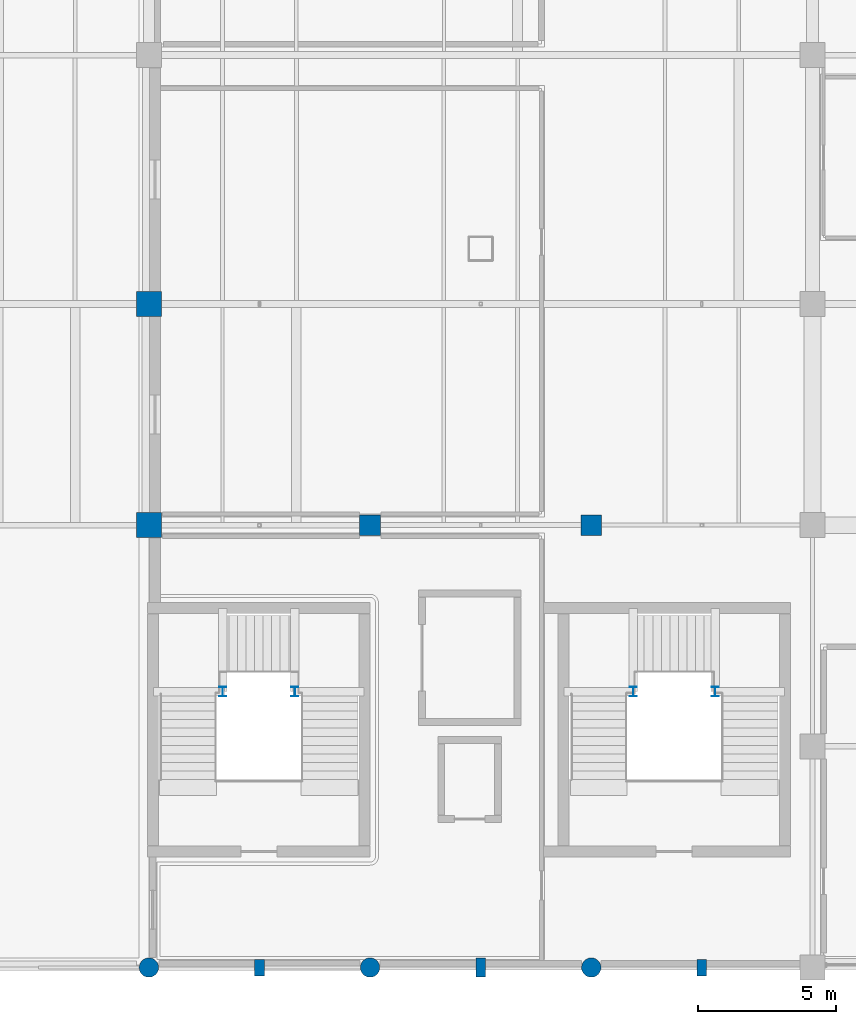
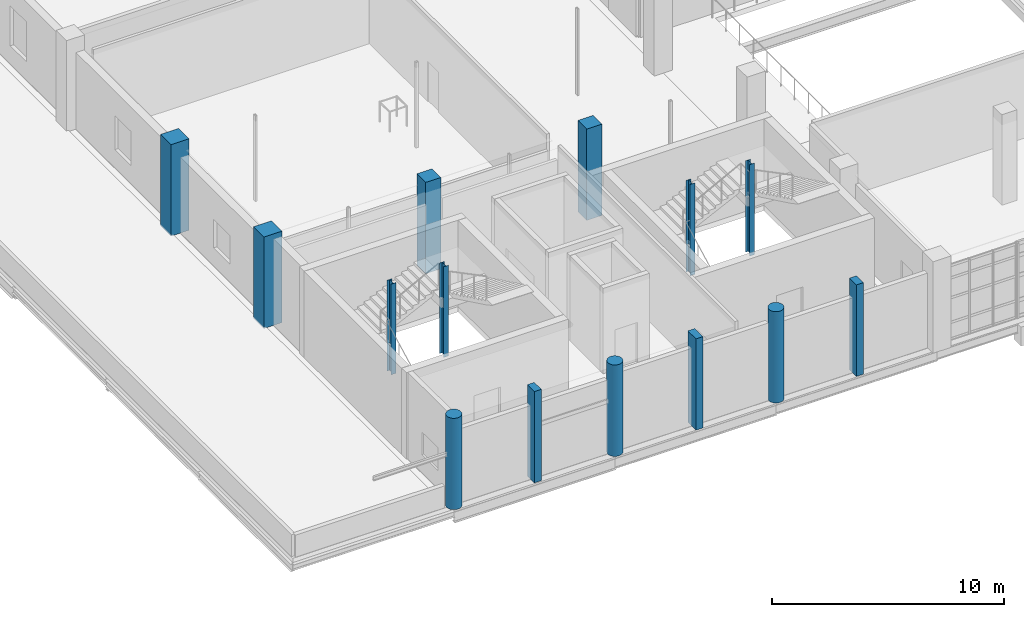
# One storey, part 1 of 127: 14 columns.
"""IFC4 building model written with IfcOpenShell, lengths in metres."""

from ifc_helpers import new_model, si_unit, derived_unit, direction, frame, origin, origin_2d, place, context, subcontext, project, spatial, rectangle, circle, i_section, extrude, material, material_profile, profile_set, type_object, element, save


model = new_model("IFC4")

# Units and contexts
model_context = context("Model", 3, precision=1e-05, world=origin(), true_north=direction((0.0, 1.0)))
body_context = subcontext(model_context, "Body", "Model", "MODEL_VIEW")
ifc_project = project(units=[si_unit("LENGTHUNIT", "METRE"), si_unit("AREAUNIT", "SQUARE_METRE"), si_unit("VOLUMEUNIT", "CUBIC_METRE"), si_unit("PLANEANGLEUNIT", "RADIAN"), si_unit("MASSUNIT", "GRAM", prefix="KILO"), derived_unit("THERMALTRANSMITTANCEUNIT", [(si_unit("POWERUNIT", "WATT"), 1), (si_unit("LENGTHUNIT", "METRE"), -2), (si_unit("THERMODYNAMICTEMPERATUREUNIT", "KELVIN"), -1)])], contexts=[model_context])

# Site, building, storey
site_placement = place(None, origin())
site = spatial("IfcSite", under=ifc_project, at=site_placement, CompositionType="ELEMENT")
building_placement = place(site_placement, origin())
building = spatial("IfcBuilding", under=site, at=building_placement, Name="Nallur Shell Playhouse", CompositionType="ELEMENT")
storey_placement = place(building_placement, frame((0.0, 0.0, 5.39990234375)))
storey = spatial("IfcBuildingStorey", under=building, at=storey_placement, Name="L02", CompositionType="ELEMENT", Elevation=5.39990234375)

# Columns
ifc_material_1 = material(Name="Concrete M35", Category="concrete")
ifc_material_profile_1 = material_profile(ifc_material_1, rectangle(XDim=0.35009765625, YDim=0.60009765625, at=origin_2d()), Name="RC 350x600")
ifc_profile_set_1 = profile_set([ifc_material_profile_1], Name="Concrete M35")
column_type_1 = type_object("IfcColumnType", Name="CL-PIL-350x600", PredefinedType="PILASTER", material=ifc_profile_set_1)
for number, where, z_axis, x_axis, name in (
    (1, (20.0, 8.0, 0.0), (0.0, 0.0, 1.0), (1.0, 0.0, 0.0), "Wall pilaster PIL-02 (L02)"),
    (2, (36.0, 8.0, 0.0), (0.0, 0.0, 1.0), (1.0, 0.0, 0.0), "Wall pilaster PIL-04 (L02)"),
):
    element("IfcColumn", number, at=place(storey_placement, frame(where, z_axis=z_axis, x_axis=x_axis)), inside=storey, type_object=column_type_1, Name=name, PredefinedType="PILASTER", context=body_context, shape_type="SweptSolid", body=[
        extrude(rectangle(XDim=0.35009765625, YDim=0.60009765625, at=origin_2d()), origin(), (0.0, 0.0, 1.0), 4.800048828125),
    ])
ifc_material_2 = material(Name="Concrete M40", Category="concrete")
ifc_material_profile_2 = material_profile(ifc_material_2, rectangle(XDim=0.35009765625, YDim=0.699951171875, at=origin_2d()), Name="RC 350x700")
ifc_profile_set_2 = profile_set([ifc_material_profile_2], Name="Concrete M40")
column_type_2 = type_object("IfcColumnType", Name="CL-PIL-350x700", PredefinedType="PILASTER", material=ifc_profile_set_2)
column_placement = place(storey_placement, frame((28.0, 8.0, 0.0), z_axis=(0.0, 0.0, 1.0), x_axis=(1.0, 0.0, 0.0)))
element("IfcColumn", 3, at=column_placement, inside=storey, type_object=column_type_2, Name="Wall pilaster PIL-03 (L02)", PredefinedType="PILASTER", context=body_context, shape_type="SweptSolid", body=[
    extrude(rectangle(XDim=0.35009765625, YDim=0.699951171875, at=origin_2d()), origin(), (0.0, 0.0, 1.0), 4.800048828125),
])
ifc_material_profile_3 = material_profile(ifc_material_2, rectangle(XDim=0.75, YDim=0.75, at=origin_2d()), Name="RC 750x750")
ifc_profile_set_3 = profile_set([ifc_material_profile_3], Name="Concrete M40")
column_type_3 = type_object("IfcColumnType", Name="CL-RC-750", PredefinedType="COLUMN", material=ifc_profile_set_3)
for number, where, z_axis, x_axis, name in (
    (4, (24.0, 24.0, 0.0), (0.0, 0.0, 1.0), (1.0, 0.0, 0.0), "Column 3-C (L02)"),
    (5, (32.0, 24.0, 0.0), (0.0, 0.0, 1.0), (1.0, 0.0, 0.0), "Column 4-C (L02)"),
):
    element("IfcColumn", number, at=place(storey_placement, frame(where, z_axis=z_axis, x_axis=x_axis)), inside=storey, type_object=column_type_3, Name=name, PredefinedType="COLUMN", context=body_context, shape_type="SweptSolid", body=[
        extrude(rectangle(XDim=0.75, YDim=0.75, at=origin_2d()), origin(), (0.0, 0.0, 1.0), 4.800048828125),
    ])
ifc_material_profile_4 = material_profile(ifc_material_2, rectangle(XDim=0.89990234375, YDim=0.89990234375, at=origin_2d()), Name="RC 900x900")
ifc_profile_set_4 = profile_set([ifc_material_profile_4], Name="Concrete M40")
column_type_4 = type_object("IfcColumnType", Name="CL-RC-900", PredefinedType="COLUMN", material=ifc_profile_set_4)
for number, where, z_axis, x_axis, name in (
    (6, (16.0, 24.0, 0.0), (0.0, 0.0, 1.0), (1.0, 0.0, 0.0), "Column 2-C (L02)"),
    (7, (16.0, 32.0, 0.0), (0.0, 0.0, 1.0), (1.0, 0.0, 0.0), "Column 2-D (L02)"),
):
    element("IfcColumn", number, at=place(storey_placement, frame(where, z_axis=z_axis, x_axis=x_axis)), inside=storey, type_object=column_type_4, Name=name, PredefinedType="COLUMN", context=body_context, shape_type="SweptSolid", body=[
        extrude(rectangle(XDim=0.89990234375, YDim=0.89990234375, at=origin_2d()), origin(), (0.0, 0.0, 1.0), 4.800048828125),
    ])
ifc_material_profile_5 = material_profile(ifc_material_2, circle(Radius=0.35009765625, at=origin_2d()), Name="RC D700")
ifc_profile_set_5 = profile_set([ifc_material_profile_5], Name="Concrete M40")
column_type_5 = type_object("IfcColumnType", Name="CL-RCD-700", PredefinedType="COLUMN", material=ifc_profile_set_5)
for number, where, z_axis, x_axis, name in (
    (8, (16.0, 8.0, 0.0), (0.0, 0.0, 1.0), (1.0, 0.0, 0.0), "Column 2-A (L02)"),
    (9, (24.0, 8.0, 0.0), (0.0, 0.0, 1.0), (1.0, 0.0, 0.0), "Column 3-A (L02)"),
    (10, (32.0, 8.0, 0.0), (0.0, 0.0, 1.0), (1.0, 0.0, 0.0), "Column 4-A (L02)"),
):
    element("IfcColumn", number, at=place(storey_placement, frame(where, z_axis=z_axis, x_axis=x_axis)), inside=storey, type_object=column_type_5, Name=name, PredefinedType="COLUMN", context=body_context, shape_type="SweptSolid", body=[
        extrude(circle(Radius=0.35009765625, at=origin_2d()), origin(), (0.0, 0.0, 1.0), 4.800048828125),
    ])
ifc_material_3 = material(Name="Steel E350", Category="steel")
ifc_material_profile_6 = material_profile(ifc_material_3, i_section(OverallWidth=0.25, OverallDepth=0.35009765625, WebThickness=0.010009765625, FlangeThickness=0.01171875, FilletRadius=0.011962890625, at=origin_2d()), Name="ISHB 350")
ifc_profile_set_6 = profile_set([ifc_material_profile_6], Name="Steel E350")
column_type_6 = type_object("IfcColumnType", Name="CL-ST-ISHB350", PredefinedType="COLUMN", material=ifc_profile_set_6)
for number, where, z_axis, x_axis, name in (
    (11, (33.52001953125, 17.97998046875, 0.0), (0.0, 0.0, 1.0), (1.0, 0.0, 0.0), "Column STW-JC-1-W (L02)"),
    (12, (36.47998046875, 17.97998046875, 0.0), (0.0, 0.0, 1.0), (1.0, 0.0, 0.0), "Column STW-JC-1-E (L02)"),
):
    element("IfcColumn", number, at=place(storey_placement, frame(where, z_axis=z_axis, x_axis=x_axis)), inside=storey, type_object=column_type_6, Name=name, PredefinedType="COLUMN", context=body_context, shape_type="SweptSolid", body=[
        extrude(i_section(OverallWidth=0.25, OverallDepth=0.35009765625, WebThickness=0.010009765625, FlangeThickness=0.01171875, FilletRadius=0.011962890625, at=origin_2d()), origin(), (0.0, 0.0, 1.0), 4.800048828125),
    ])
for number, where, z_axis, x_axis, name in (
    (13, (18.669921875, 17.97998046875, 0.0), (0.0, 0.0, 1.0), (1.0, 0.0, 0.0), "Column STW-JC-7-W (L02)"),
    (14, (21.280029296875, 17.97998046875, 0.0), (0.0, 0.0, 1.0), (1.0, 0.0, 0.0), "Column STW-JC-7-E (L02)"),
):
    element("IfcColumn", number, at=place(storey_placement, frame(where, z_axis=z_axis, x_axis=x_axis)), inside=storey, type_object=column_type_6, Name=name, PredefinedType="COLUMN", context=body_context, shape_type="SweptSolid", body=[
        extrude(i_section(OverallWidth=0.25, OverallDepth=0.35009765625, WebThickness=0.010009765625, FlangeThickness=0.01171875, FilletRadius=0.011962890625, at=origin_2d()), origin(), (0.0, 0.0, 1.0), 4.760009765625),
    ])

save(model, "model.ifc")
